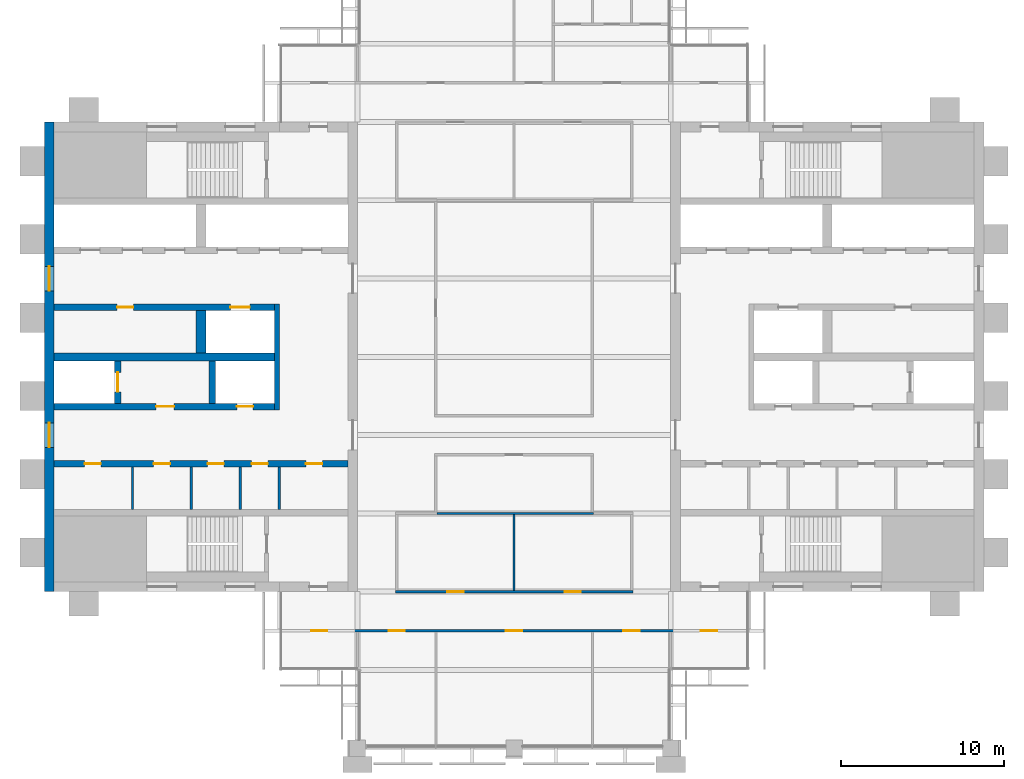
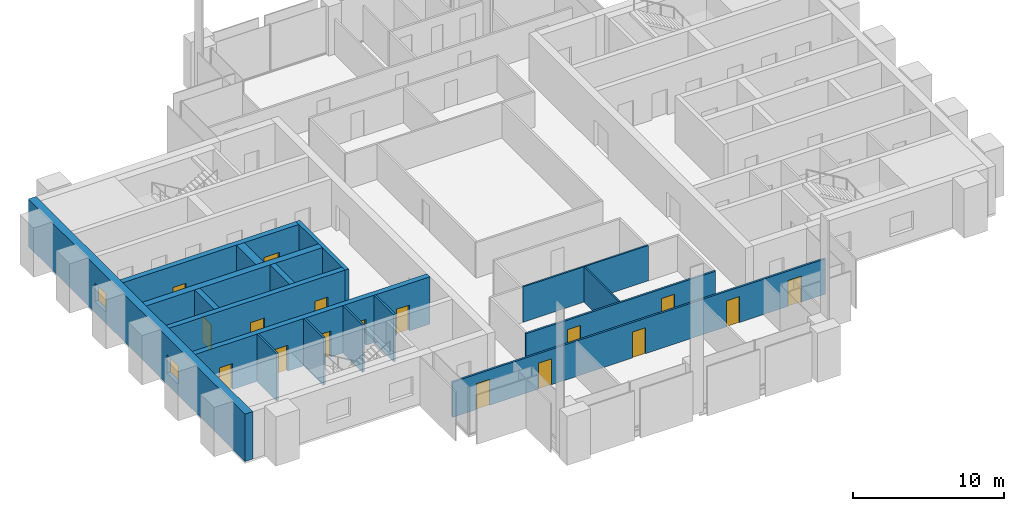
# One storey, part 8 of 13: 17 doors, 17 walls, 2 windows, 19 openings.
"""IFC4 building model written with IfcOpenShell, lengths in metres."""

from ifc_helpers import new_model, si_unit, direction, frame, frame_2d, origin, place, context, subcontext, project, spatial, rectangle, extrude, material, layer, layer_set, type_object, element, fill, save


model = new_model("IFC4")

# Units and contexts
model_context = context("Model", 3, precision=1e-05, world=origin(), true_north=direction((0.0, 1.0)))
body_context = subcontext(model_context, "Body", "Model", "MODEL_VIEW")
ifc_project = project(units=[si_unit("LENGTHUNIT", "METRE"), si_unit("AREAUNIT", "SQUARE_METRE"), si_unit("VOLUMEUNIT", "CUBIC_METRE"), si_unit("PLANEANGLEUNIT", "RADIAN"), si_unit("MASSUNIT", "GRAM", prefix="KILO")], contexts=[model_context])

# Site, building, storey
site_placement = place(None, origin())
site = spatial("IfcSite", under=ifc_project, at=site_placement, CompositionType="ELEMENT")
building_placement = place(site_placement, origin())
building = spatial("IfcBuilding", under=site, at=building_placement, Name="Baori Bourse Tower", CompositionType="ELEMENT")
storey_placement = place(building_placement, frame((0.0, 0.0, 330.300048828125)))
storey = spatial("IfcBuildingStorey", under=building, at=storey_placement, Name="L73", CompositionType="ELEMENT", Elevation=330.300048828125)

# Walls
ifc_material_1 = material(Name="Blockwork partition", Category="masonry")
ifc_layer_1 = layer(ifc_material_1, 0.14990234375)
ifc_layer_set_1 = layer_set([ifc_layer_1], Name="Core partition 150")
wall_type_1 = type_object("IfcWallType", Name="Core partition 150", PredefinedType="PARTITIONING", material=ifc_layer_set_1)
for number, where, z_axis, x_axis, name in (
    (1, (5.39990234375, 14.64990234375, 0.0), (0.0, 0.0, 1.0), (0.0, 1.0, 0.0), "Partition wall W09"),
    (2, (9.0, 14.64990234375, 0.0), (0.0, 0.0, 1.0), (0.0, 1.0, 0.0), "Partition wall W10"),
    (3, (12.0, 14.64990234375, 0.0), (0.0, 0.0, 1.0), (0.0, 1.0, 0.0), "Partition wall W11"),
    (4, (14.39990234375, 14.64990234375, 0.0), (0.0, 0.0, 1.0), (0.0, 1.0, 0.0), "Partition wall W12"),
):
    element("IfcWall", number, at=place(storey_placement, frame(where, z_axis=z_axis, x_axis=x_axis)), inside=storey, type_object=wall_type_1, Name=name, PredefinedType="PARTITIONING", context=body_context, shape_type="SweptSolid", body=[
        extrude(rectangle(XDim=2.60009765625, YDim=0.14990234375, at=frame_2d((1.300048828125, 0.0))), origin(), (0.0, 0.0, 1.0), 3.83984375),
    ])

# Wall, openings, windows
ifc_material_2 = material(Name="Concrete f'c 40 MPa", Category="concrete")
ifc_layer_2 = layer(ifc_material_2, 0.60009765625)
ifc_layer_set_2 = layer_set([ifc_layer_2], Name="Core wall 600 f'c 40")
wall_type_2 = type_object("IfcWallType", Name="Core wall 600 f'c 40", PredefinedType="SHEAR", material=ifc_layer_set_2)
wall_1_placement = place(storey_placement, frame((0.300048828125, 9.60009765625, 0.0), z_axis=(0.0, 0.0, 1.0), x_axis=(0.0, 1.0, 0.0)))
wall_1 = element("IfcWall", 5, at=wall_1_placement, inside=storey, type_object=wall_type_2, Name="Core wall W01", PredefinedType="SHEAR", context=body_context, shape_type="SweptSolid", body=[
    extrude(rectangle(XDim=28.7998046875, YDim=0.60009765625, at=frame_2d((14.39990234375, 0.0))), origin(), (0.0, 0.0, 1.0), 3.83984375),
])
opening_1_placement = place(wall_1_placement, frame((8.85009765625, 0.0, 0.89990234375)))
opening_1 = element("IfcOpeningElement", 6, at=opening_1_placement, cuts=wall_1, Name="Opening L73-KW101", PredefinedType="OPENING", context=body_context, shape_type="SweptSolid", body=[
    extrude(rectangle(XDim=1.5, YDim=1.5, at=frame_2d((0.75, 0.75))), frame((0.0, 0.31005859375, 0.0), z_axis=(0.0, -1.0, 0.0), x_axis=(1.0, 0.0, 0.0)), (0.0, 0.0, 1.0), 0.6201171875),
])
opening_2_placement = place(wall_1_placement, frame((18.449951171875, 0.0, 0.89990234375)))
opening_2 = element("IfcOpeningElement", 7, at=opening_2_placement, cuts=wall_1, Name="Opening L73-KW102", PredefinedType="OPENING", context=body_context, shape_type="SweptSolid", body=[
    extrude(rectangle(XDim=1.5, YDim=1.5, at=frame_2d((0.75, 0.75))), frame((0.0, 0.31005859375, 0.0), z_axis=(0.0, -1.0, 0.0), x_axis=(1.0, 0.0, 0.0)), (0.0, 0.0, 1.0), 0.6201171875),
])
ifc_material_3 = material(Name="Pale anodised aluminium", Category="aluminium")
window_type = type_object("IfcWindowType", Name="Lobby window 1500 x 1500", PartitioningType="SINGLE_PANEL", PredefinedType="WINDOW", material=ifc_material_3)
window_1_placement = place(opening_1_placement, origin())
window_1 = element("IfcWindow", 8, at=window_1_placement, inside=storey, type_object=window_type, Name="Outer wall window W L73 1", OverallHeight=1.5, OverallWidth=1.5, PartitioningType="SINGLE_PANEL", PredefinedType="WINDOW", context=body_context, shape_type="SweptSolid", body=[
    extrude(rectangle(XDim=1.5, YDim=1.5, at=frame_2d((0.75, 0.75))), frame((0.0, 0.030029296875, 0.0), z_axis=(0.0, -1.0, 0.0), x_axis=(1.0, 0.0, 0.0)), (0.0, 0.0, 1.0), 0.06005859375),
])
fill(opening_1, window_1)
window_2_placement = place(opening_2_placement, origin())
window_2 = element("IfcWindow", 9, at=window_2_placement, inside=storey, type_object=window_type, Name="Outer wall window W L73 2", OverallHeight=1.5, OverallWidth=1.5, PartitioningType="SINGLE_PANEL", PredefinedType="WINDOW", context=body_context, shape_type="SweptSolid", body=[
    extrude(rectangle(XDim=1.5, YDim=1.5, at=frame_2d((0.75, 0.75))), frame((0.0, 0.030029296875, 0.0), z_axis=(0.0, -1.0, 0.0), x_axis=(1.0, 0.0, 0.0)), (0.0, 0.0, 1.0), 0.06005859375),
])
fill(opening_2, window_2)

# Wall, openings, doors
ifc_material_4 = material(Name="Gypsum board partition")
ifc_layer_3 = layer(ifc_material_4, 0.14990234375)
ifc_layer_set_3 = layer_set([ifc_layer_3], Name="Corridor partition 150")
wall_type_3 = type_object("IfcWallType", Name="Corridor partition 150", PredefinedType="PARTITIONING", material=ifc_layer_set_3)
wall_2_placement = place(storey_placement, frame((14.5, 7.199951171875, 0.0), z_axis=(0.0, 0.0, 1.0), x_axis=(1.0, 0.0, 0.0)))
wall_2 = element("IfcWall", 10, at=wall_2_placement, inside=storey, type_object=wall_type_3, Name="Partition", PredefinedType="PARTITIONING", context=body_context, shape_type="SweptSolid", body=[
    extrude(rectangle(XDim=28.60009765625, YDim=0.14990234375, at=frame_2d((14.300048828125, 0.0))), origin(), (0.0, 0.0, 1.0), 2.86962890625),
])
opening_3_placement = place(wall_2_placement, frame((1.85009765625, 0.0, 0.0)))
opening_3 = element("IfcOpeningElement", 11, at=opening_3_placement, cuts=wall_2, Name="Opening L73-D01", PredefinedType="OPENING", context=body_context, shape_type="SweptSolid", body=[
    extrude(rectangle(XDim=1.0, YDim=2.10009765625, at=frame_2d((0.5, 1.050048828125))), frame((0.0, 0.0849609375, 0.0), z_axis=(0.0, -1.0, 0.0), x_axis=(1.0, 0.0, 0.0)), (0.0, 0.0, 1.0), 0.169921875),
])
opening_4_placement = place(wall_2_placement, frame((6.60009765625, 0.0, 0.0)))
opening_4 = element("IfcOpeningElement", 12, at=opening_4_placement, cuts=wall_2, Name="Opening L73-D02", PredefinedType="OPENING", context=body_context, shape_type="SweptSolid", body=[
    extrude(rectangle(XDim=1.0, YDim=2.10009765625, at=frame_2d((0.5, 1.050048828125))), frame((0.0, 0.0849609375, 0.0), z_axis=(0.0, -1.0, 0.0), x_axis=(1.0, 0.0, 0.0)), (0.0, 0.0, 1.0), 0.169921875),
])
opening_5_placement = place(wall_2_placement, frame((13.800048828125, 0.0, 0.0)))
opening_5 = element("IfcOpeningElement", 13, at=opening_5_placement, cuts=wall_2, Name="Opening L73-D03", PredefinedType="OPENING", context=body_context, shape_type="SweptSolid", body=[
    extrude(rectangle(XDim=1.0, YDim=2.10009765625, at=frame_2d((0.5, 1.050048828125))), frame((0.0, 0.0849609375, 0.0), z_axis=(0.0, -1.0, 0.0), x_axis=(1.0, 0.0, 0.0)), (0.0, 0.0, 1.0), 0.169921875),
])
opening_6_placement = place(wall_2_placement, frame((21.0, 0.0, 0.0)))
opening_6 = element("IfcOpeningElement", 14, at=opening_6_placement, cuts=wall_2, Name="Opening L73-D04", PredefinedType="OPENING", context=body_context, shape_type="SweptSolid", body=[
    extrude(rectangle(XDim=1.0, YDim=2.10009765625, at=frame_2d((0.5, 1.050048828125))), frame((0.0, 0.0849609375, 0.0), z_axis=(0.0, -1.0, 0.0), x_axis=(1.0, 0.0, 0.0)), (0.0, 0.0, 1.0), 0.169921875),
])
opening_7_placement = place(wall_2_placement, frame((25.75, 0.0, 0.0)))
opening_7 = element("IfcOpeningElement", 15, at=opening_7_placement, cuts=wall_2, Name="Opening L73-D05", PredefinedType="OPENING", context=body_context, shape_type="SweptSolid", body=[
    extrude(rectangle(XDim=1.0, YDim=2.10009765625, at=frame_2d((0.5, 1.050048828125))), frame((0.0, 0.0849609375, 0.0), z_axis=(0.0, -1.0, 0.0), x_axis=(1.0, 0.0, 0.0)), (0.0, 0.0, 1.0), 0.169921875),
])
ifc_material_5 = material(Name="Timber door leaf", Category="wood")
door_type_1 = type_object("IfcDoorType", Name="Door 1000 x 2100", OperationType="SINGLE_SWING_LEFT", PredefinedType="DOOR", material=ifc_material_5)
door_1_placement = place(opening_3_placement, origin())
door_1 = element("IfcDoor", 16, at=door_1_placement, inside=storey, type_object=door_type_1, Name="Door", OperationType="SINGLE_SWING_LEFT", OverallHeight=2.10009765625, OverallWidth=1.0, PredefinedType="DOOR", context=body_context, shape_type="SweptSolid", body=[
    extrude(rectangle(XDim=1.0, YDim=2.10009765625, at=frame_2d((0.5, 1.050048828125))), frame((0.0, 0.02490234375, 0.0), z_axis=(0.0, -1.0, 0.0), x_axis=(1.0, 0.0, 0.0)), (0.0, 0.0, 1.0), 0.050048828125),
])
fill(opening_3, door_1)
door_2_placement = place(opening_4_placement, origin())
door_2 = element("IfcDoor", 17, at=door_2_placement, inside=storey, type_object=door_type_1, Name="Door", OperationType="SINGLE_SWING_LEFT", OverallHeight=2.10009765625, OverallWidth=1.0, PredefinedType="DOOR", context=body_context, shape_type="SweptSolid", body=[
    extrude(rectangle(XDim=1.0, YDim=2.10009765625, at=frame_2d((0.5, 1.050048828125))), frame((0.0, 0.02490234375, 0.0), z_axis=(0.0, -1.0, 0.0), x_axis=(1.0, 0.0, 0.0)), (0.0, 0.0, 1.0), 0.050048828125),
])
fill(opening_4, door_2)
door_3_placement = place(opening_5_placement, origin())
door_3 = element("IfcDoor", 18, at=door_3_placement, inside=storey, type_object=door_type_1, Name="Door", OperationType="SINGLE_SWING_LEFT", OverallHeight=2.10009765625, OverallWidth=1.0, PredefinedType="DOOR", context=body_context, shape_type="SweptSolid", body=[
    extrude(rectangle(XDim=1.0, YDim=2.10009765625, at=frame_2d((0.5, 1.050048828125))), frame((0.0, 0.02490234375, 0.0), z_axis=(0.0, -1.0, 0.0), x_axis=(1.0, 0.0, 0.0)), (0.0, 0.0, 1.0), 0.050048828125),
])
fill(opening_5, door_3)
door_4_placement = place(opening_6_placement, origin())
door_4 = element("IfcDoor", 19, at=door_4_placement, inside=storey, type_object=door_type_1, Name="Door", OperationType="SINGLE_SWING_RIGHT", OverallHeight=2.10009765625, OverallWidth=1.0, PredefinedType="DOOR", context=body_context, shape_type="SweptSolid", body=[
    extrude(rectangle(XDim=1.0, YDim=2.10009765625, at=frame_2d((0.5, 1.050048828125))), frame((0.0, 0.02490234375, 0.0), z_axis=(0.0, -1.0, 0.0), x_axis=(1.0, 0.0, 0.0)), (0.0, 0.0, 1.0), 0.050048828125),
])
fill(opening_6, door_4)
door_5_placement = place(opening_7_placement, origin())
door_5 = element("IfcDoor", 20, at=door_5_placement, inside=storey, type_object=door_type_1, Name="Door", OperationType="SINGLE_SWING_RIGHT", OverallHeight=2.10009765625, OverallWidth=1.0, PredefinedType="DOOR", context=body_context, shape_type="SweptSolid", body=[
    extrude(rectangle(XDim=1.0, YDim=2.10009765625, at=frame_2d((0.5, 1.050048828125))), frame((0.0, 0.02490234375, 0.0), z_axis=(0.0, -1.0, 0.0), x_axis=(1.0, 0.0, 0.0)), (0.0, 0.0, 1.0), 0.050048828125),
])
fill(opening_7, door_5)

wall_3_placement = place(storey_placement, frame((21.52490234375, 9.60009765625, 0.0), z_axis=(0.0, 0.0, 1.0), x_axis=(1.0, 0.0, 0.0)))
wall_3 = element("IfcWall", 21, at=wall_3_placement, inside=storey, type_object=wall_type_3, Name="Partition", PredefinedType="PARTITIONING", context=body_context, shape_type="SweptSolid", body=[
    extrude(rectangle(XDim=14.550048828125, YDim=0.14990234375, at=frame_2d((7.27490234375, 0.0))), origin(), (0.0, 0.0, 1.0), 2.86962890625),
])
opening_8_placement = place(wall_3_placement, frame((3.175048828125, 0.0, 0.0)))
opening_8 = element("IfcOpeningElement", 22, at=opening_8_placement, cuts=wall_3, Name="Opening L73-D06", PredefinedType="OPENING", context=body_context, shape_type="SweptSolid", body=[
    extrude(rectangle(XDim=1.0, YDim=2.10009765625, at=frame_2d((0.5, 1.050048828125))), frame((0.0, 0.0849609375, 0.0), z_axis=(0.0, -1.0, 0.0), x_axis=(1.0, 0.0, 0.0)), (0.0, 0.0, 1.0), 0.169921875),
])
opening_9_placement = place(wall_3_placement, frame((10.375, 0.0, 0.0)))
opening_9 = element("IfcOpeningElement", 23, at=opening_9_placement, cuts=wall_3, Name="Opening L73-D07", PredefinedType="OPENING", context=body_context, shape_type="SweptSolid", body=[
    extrude(rectangle(XDim=1.0, YDim=2.10009765625, at=frame_2d((0.5, 1.050048828125))), frame((0.0, 0.0849609375, 0.0), z_axis=(0.0, -1.0, 0.0), x_axis=(1.0, 0.0, 0.0)), (0.0, 0.0, 1.0), 0.169921875),
])
door_6_placement = place(opening_8_placement, origin())
door_6 = element("IfcDoor", 24, at=door_6_placement, inside=storey, type_object=door_type_1, Name="Door", OperationType="SINGLE_SWING_RIGHT", OverallHeight=2.10009765625, OverallWidth=1.0, PredefinedType="DOOR", context=body_context, shape_type="SweptSolid", body=[
    extrude(rectangle(XDim=1.0, YDim=2.10009765625, at=frame_2d((0.5, 1.050048828125))), frame((0.0, 0.02490234375, 0.0), z_axis=(0.0, -1.0, 0.0), x_axis=(1.0, 0.0, 0.0)), (0.0, 0.0, 1.0), 0.050048828125),
])
fill(opening_8, door_6)
door_7_placement = place(opening_9_placement, origin())
door_7 = element("IfcDoor", 25, at=door_7_placement, inside=storey, type_object=door_type_1, Name="Door", OperationType="SINGLE_SWING_LEFT", OverallHeight=2.10009765625, OverallWidth=1.0, PredefinedType="DOOR", context=body_context, shape_type="SweptSolid", body=[
    extrude(rectangle(XDim=1.0, YDim=2.10009765625, at=frame_2d((0.5, 1.050048828125))), frame((0.0, 0.02490234375, 0.0), z_axis=(0.0, -1.0, 0.0), x_axis=(1.0, 0.0, 0.0)), (0.0, 0.0, 1.0), 0.050048828125),
])
fill(opening_9, door_7)

# Walls
ifc_material_6 = material(Name="Gypsum board partition")
ifc_layer_4 = layer(ifc_material_6, 0.125)
ifc_layer_set_4 = layer_set([ifc_layer_4], Name="Partition 125")
wall_type_4 = type_object("IfcWallType", Name="Partition 125", PredefinedType="PARTITIONING", material=ifc_layer_set_4)
wall_4_placement = place(storey_placement, frame((24.074951171875, 14.39990234375, 0.0), z_axis=(0.0, 0.0, 1.0), x_axis=(1.0, 0.0, 0.0)))
element("IfcWall", 26, at=wall_4_placement, inside=storey, type_object=wall_type_4, Name="Partition", PredefinedType="PARTITIONING", context=body_context, shape_type="SweptSolid", body=[
    extrude(rectangle(XDim=9.60009765625, YDim=0.125, at=frame_2d((4.800048828125, 0.0))), origin(), (0.0, 0.0, 1.0), 2.86962890625),
])
wall_5_placement = place(storey_placement, frame((28.800048828125, 9.675048828125, 0.0), z_axis=(0.0, 0.0, 1.0), x_axis=(0.0, 1.0, 0.0)))
element("IfcWall", 27, at=wall_5_placement, inside=storey, type_object=wall_type_4, Name="Partition", PredefinedType="PARTITIONING", context=body_context, shape_type="SweptSolid", body=[
    extrude(rectangle(XDim=4.662353515625, YDim=0.125, at=frame_2d((2.3310546875, 0.0))), origin(), (0.0, 0.0, 1.0), 2.86962890625),
])
ifc_material_7 = material(Name="Concrete f'c 40 MPa", Category="concrete")
ifc_layer_5 = layer(ifc_material_7, 0.300048828125)
ifc_layer_set_5 = layer_set([ifc_layer_5], Name="Shaft wall 300 f'c 40")
wall_type_5 = type_object("IfcWallType", Name="Shaft wall 300 f'c 40", PredefinedType="SHEAR", material=ifc_layer_set_5)
wall_6_placement = place(storey_placement, frame((14.25, 20.75, 0.0), z_axis=(0.0, 0.0, 1.0), x_axis=(0.0, 1.0, 0.0)))
element("IfcWall", 28, at=wall_6_placement, inside=storey, type_object=wall_type_5, Name="Core wall W15", PredefinedType="SHEAR", context=body_context, shape_type="SweptSolid", body=[
    extrude(rectangle(XDim=6.5, YDim=0.300048828125, at=frame_2d((3.25, 0.0))), origin(), (0.0, 0.0, 1.0), 3.83984375),
])

# Wall, openings, doors
ifc_material_8 = material(Name="Concrete f'c 40 MPa", Category="concrete")
ifc_layer_6 = layer(ifc_material_8, 0.39990234375)
ifc_layer_set_6 = layer_set([ifc_layer_6], Name="Shaft wall 400 f'c 40")
wall_type_6 = type_object("IfcWallType", Name="Shaft wall 400 f'c 40", PredefinedType="SHEAR", material=ifc_layer_set_6)
wall_7_placement = place(storey_placement, frame((0.60009765625, 17.449951171875, 0.0), z_axis=(0.0, 0.0, 1.0), x_axis=(1.0, 0.0, 0.0)))
wall_7 = element("IfcWall", 29, at=wall_7_placement, inside=storey, type_object=wall_type_6, Name="Core wall W13", PredefinedType="SHEAR", context=body_context, shape_type="SweptSolid", body=[
    extrude(rectangle(XDim=18.0, YDim=0.39990234375, at=frame_2d((9.0, 0.0))), origin(), (0.0, 0.0, 1.0), 3.83984375),
])
opening_10_placement = place(wall_7_placement, frame((1.862548828125, 0.0, 0.0)))
opening_10 = element("IfcOpeningElement", 30, at=opening_10_placement, cuts=wall_7, Name="Opening L73-D109", PredefinedType="OPENING", context=body_context, shape_type="SweptSolid", body=[
    extrude(rectangle(XDim=1.0, YDim=2.10009765625, at=frame_2d((0.5, 1.050048828125))), frame((0.0, 0.2099609375, 0.0), z_axis=(0.0, -1.0, 0.0), x_axis=(1.0, 0.0, 0.0)), (0.0, 0.0, 1.0), 0.419921875),
])
opening_11_placement = place(wall_7_placement, frame((6.10009765625, 0.0, 0.0)))
opening_11 = element("IfcOpeningElement", 31, at=opening_11_placement, cuts=wall_7, Name="Opening L73-D110", PredefinedType="OPENING", context=body_context, shape_type="SweptSolid", body=[
    extrude(rectangle(XDim=1.0, YDim=2.10009765625, at=frame_2d((0.5, 1.050048828125))), frame((0.0, 0.2099609375, 0.0), z_axis=(0.0, -1.0, 0.0), x_axis=(1.0, 0.0, 0.0)), (0.0, 0.0, 1.0), 0.419921875),
])
opening_12_placement = place(wall_7_placement, frame((9.39990234375, 0.0, 0.0)))
opening_12 = element("IfcOpeningElement", 32, at=opening_12_placement, cuts=wall_7, Name="Opening L73-D111", PredefinedType="OPENING", context=body_context, shape_type="SweptSolid", body=[
    extrude(rectangle(XDim=1.0, YDim=2.10009765625, at=frame_2d((0.5, 1.050048828125))), frame((0.0, 0.2099609375, 0.0), z_axis=(0.0, -1.0, 0.0), x_axis=(1.0, 0.0, 0.0)), (0.0, 0.0, 1.0), 0.419921875),
])
opening_13_placement = place(wall_7_placement, frame((12.10009765625, 0.0, 0.0)))
opening_13 = element("IfcOpeningElement", 33, at=opening_13_placement, cuts=wall_7, Name="Opening L73-D112", PredefinedType="OPENING", context=body_context, shape_type="SweptSolid", body=[
    extrude(rectangle(XDim=1.0, YDim=2.10009765625, at=frame_2d((0.5, 1.050048828125))), frame((0.0, 0.2099609375, 0.0), z_axis=(0.0, -1.0, 0.0), x_axis=(1.0, 0.0, 0.0)), (0.0, 0.0, 1.0), 0.419921875),
])
opening_14_placement = place(wall_7_placement, frame((15.4375, 0.0, 0.0)))
opening_14 = element("IfcOpeningElement", 34, at=opening_14_placement, cuts=wall_7, Name="Opening L73-D113", PredefinedType="OPENING", context=body_context, shape_type="SweptSolid", body=[
    extrude(rectangle(XDim=1.0, YDim=2.10009765625, at=frame_2d((0.5, 1.050048828125))), frame((0.0, 0.2099609375, 0.0), z_axis=(0.0, -1.0, 0.0), x_axis=(1.0, 0.0, 0.0)), (0.0, 0.0, 1.0), 0.419921875),
])
ifc_material_9 = material(Name="Painted steel door", Category="steel")
door_type_2 = type_object("IfcDoorType", Name="Core door 1000", OperationType="SINGLE_SWING_LEFT", PredefinedType="DOOR", material=ifc_material_9)
door_8_placement = place(opening_10_placement, origin())
door_8 = element("IfcDoor", 35, at=door_8_placement, inside=storey, type_object=door_type_2, Name="Men'S Wc door W L73", OperationType="SINGLE_SWING_LEFT", OverallHeight=2.10009765625, OverallWidth=1.0, PredefinedType="DOOR", context=body_context, shape_type="SweptSolid", body=[
    extrude(rectangle(XDim=1.0, YDim=2.10009765625, at=frame_2d((0.5, 1.050048828125))), frame((0.0, 0.02490234375, 0.0), z_axis=(0.0, -1.0, 0.0), x_axis=(1.0, 0.0, 0.0)), (0.0, 0.0, 1.0), 0.050048828125),
])
fill(opening_10, door_8)
door_9_placement = place(opening_11_placement, origin())
door_9 = element("IfcDoor", 36, at=door_9_placement, inside=storey, type_object=door_type_2, Name="Women'S Wc door W L73", OperationType="SINGLE_SWING_LEFT", OverallHeight=2.10009765625, OverallWidth=1.0, PredefinedType="DOOR", context=body_context, shape_type="SweptSolid", body=[
    extrude(rectangle(XDim=1.0, YDim=2.10009765625, at=frame_2d((0.5, 1.050048828125))), frame((0.0, 0.02490234375, 0.0), z_axis=(0.0, -1.0, 0.0), x_axis=(1.0, 0.0, 0.0)), (0.0, 0.0, 1.0), 0.050048828125),
])
fill(opening_11, door_9)
door_10_placement = place(opening_13_placement, origin())
door_10 = element("IfcDoor", 37, at=door_10_placement, inside=storey, type_object=door_type_2, Name="Pantry door W L73", OperationType="SINGLE_SWING_LEFT", OverallHeight=2.10009765625, OverallWidth=1.0, PredefinedType="DOOR", context=body_context, shape_type="SweptSolid", body=[
    extrude(rectangle(XDim=1.0, YDim=2.10009765625, at=frame_2d((0.5, 1.050048828125))), frame((0.0, 0.02490234375, 0.0), z_axis=(0.0, -1.0, 0.0), x_axis=(1.0, 0.0, 0.0)), (0.0, 0.0, 1.0), 0.050048828125),
])
fill(opening_13, door_10)
door_11_placement = place(opening_14_placement, origin())
door_11 = element("IfcDoor", 38, at=door_11_placement, inside=storey, type_object=door_type_2, Name="Accessible Wc door W L73", OperationType="SINGLE_SWING_LEFT", OverallHeight=2.10009765625, OverallWidth=1.0, PredefinedType="DOOR", context=body_context, shape_type="SweptSolid", body=[
    extrude(rectangle(XDim=1.0, YDim=2.10009765625, at=frame_2d((0.5, 1.050048828125))), frame((0.0, 0.02490234375, 0.0), z_axis=(0.0, -1.0, 0.0), x_axis=(1.0, 0.0, 0.0)), (0.0, 0.0, 1.0), 0.050048828125),
])
fill(opening_14, door_11)
ifc_material_10 = material(Name="Painted steel door", Category="steel")
door_type_3 = type_object("IfcDoorType", Name="Plant room door 1000", OperationType="SINGLE_SWING_LEFT", PredefinedType="DOOR", material=ifc_material_10)
door_12_placement = place(opening_12_placement, origin())
door_12 = element("IfcDoor", 39, at=door_12_placement, inside=storey, type_object=door_type_3, Name="Electrical Room door W L73", OperationType="SINGLE_SWING_LEFT", OverallHeight=2.10009765625, OverallWidth=1.0, PredefinedType="DOOR", context=body_context, shape_type="SweptSolid", body=[
    extrude(rectangle(XDim=1.0, YDim=2.10009765625, at=frame_2d((0.5, 1.050048828125))), frame((0.0, 0.02490234375, 0.0), z_axis=(0.0, -1.0, 0.0), x_axis=(1.0, 0.0, 0.0)), (0.0, 0.0, 1.0), 0.050048828125),
])
fill(opening_12, door_12)

wall_8_placement = place(storey_placement, frame((0.60009765625, 20.949951171875, 0.0), z_axis=(0.0, 0.0, 1.0), x_axis=(1.0, 0.0, 0.0)))
wall_8 = element("IfcWall", 40, at=wall_8_placement, inside=storey, type_object=wall_type_6, Name="Core wall W14", PredefinedType="SHEAR", context=body_context, shape_type="SweptSolid", body=[
    extrude(rectangle(XDim=13.5, YDim=0.39990234375, at=frame_2d((6.75, 0.0))), origin(), (0.0, 0.0, 1.0), 3.83984375),
])
opening_15_placement = place(wall_8_placement, frame((6.25, 0.0, 0.0)))
opening_15 = element("IfcOpeningElement", 41, at=opening_15_placement, cuts=wall_8, Name="Opening L73-D105", PredefinedType="OPENING", context=body_context, shape_type="SweptSolid", body=[
    extrude(rectangle(XDim=1.10009765625, YDim=2.10009765625, at=frame_2d((0.550048828125, 1.050048828125))), frame((0.0, 0.2099609375, 0.0), z_axis=(0.0, -1.0, 0.0), x_axis=(1.0, 0.0, 0.0)), (0.0, 0.0, 1.0), 0.419921875),
])
opening_16_placement = place(wall_8_placement, frame((11.199951171875, 0.0, 0.0)))
opening_16 = element("IfcOpeningElement", 42, at=opening_16_placement, cuts=wall_8, Name="Opening L73-D106", PredefinedType="OPENING", context=body_context, shape_type="SweptSolid", body=[
    extrude(rectangle(XDim=1.0, YDim=2.10009765625, at=frame_2d((0.5, 1.050048828125))), frame((0.0, 0.2099609375, 0.0), z_axis=(0.0, -1.0, 0.0), x_axis=(1.0, 0.0, 0.0)), (0.0, 0.0, 1.0), 0.419921875),
])
ifc_material_11 = material(Name="Painted steel door", Category="steel")
door_type_4 = type_object("IfcDoorType", Name="Lobby door 1100", OperationType="SINGLE_SWING_LEFT", PredefinedType="DOOR", material=ifc_material_11)
door_13_placement = place(opening_15_placement, origin())
door_13 = element("IfcDoor", 43, at=door_13_placement, inside=storey, type_object=door_type_4, Name="Firefighting lobby door W L73", OperationType="SINGLE_SWING_LEFT", OverallHeight=2.10009765625, OverallWidth=1.10009765625, PredefinedType="DOOR", context=body_context, shape_type="SweptSolid", body=[
    extrude(rectangle(XDim=1.10009765625, YDim=2.10009765625, at=frame_2d((0.550048828125, 1.050048828125))), frame((0.0, 0.02490234375, 0.0), z_axis=(0.0, -1.0, 0.0), x_axis=(1.0, 0.0, 0.0)), (0.0, 0.0, 1.0), 0.050048828125),
])
fill(opening_15, door_13)
ifc_material_12 = material(Name="Painted steel door", Category="steel")
door_type_5 = type_object("IfcDoorType", Name="Shaft door 1000", OperationType="SINGLE_SWING_LEFT", PredefinedType="DOOR", material=ifc_material_12)
door_14_placement = place(opening_16_placement, origin())
door_14 = element("IfcDoor", 44, at=door_14_placement, inside=storey, type_object=door_type_5, Name="Riser room door W L73", OperationType="SINGLE_SWING_LEFT", OverallHeight=2.10009765625, OverallWidth=1.0, PredefinedType="DOOR", context=body_context, shape_type="SweptSolid", body=[
    extrude(rectangle(XDim=1.0, YDim=2.10009765625, at=frame_2d((0.5, 1.050048828125))), frame((0.0, 0.02490234375, 0.0), z_axis=(0.0, -1.0, 0.0), x_axis=(1.0, 0.0, 0.0)), (0.0, 0.0, 1.0), 0.050048828125),
])
fill(opening_16, door_14)

# Wall, opening, door
wall_9_placement = place(storey_placement, frame((4.5, 21.14990234375, 0.0), z_axis=(0.0, 0.0, 1.0), x_axis=(0.0, 1.0, 0.0)))
wall_9 = element("IfcWall", 45, at=wall_9_placement, inside=storey, type_object=wall_type_6, Name="Core wall W16", PredefinedType="SHEAR", context=body_context, shape_type="SweptSolid", body=[
    extrude(rectangle(XDim=2.60009765625, YDim=0.39990234375, at=frame_2d((1.300048828125, 0.0))), origin(), (0.0, 0.0, 1.0), 3.83984375),
])
opening_17_placement = place(wall_9_placement, frame((0.699951171875, 0.0, 0.0)))
opening_17 = element("IfcOpeningElement", 46, at=opening_17_placement, cuts=wall_9, Name="Opening L73-D122", PredefinedType="OPENING", context=body_context, shape_type="SweptSolid", body=[
    extrude(rectangle(XDim=1.199951171875, YDim=2.10009765625, at=frame_2d((0.60009765625, 1.050048828125))), frame((0.0, 0.2099609375, 0.0), z_axis=(0.0, -1.0, 0.0), x_axis=(1.0, 0.0, 0.0)), (0.0, 0.0, 1.0), 0.419921875),
])
ifc_material_13 = material(Name="Stainless steel door", Category="steel")
door_type_6 = type_object("IfcDoorType", Name="Lift landing door", OperationType="DOUBLE_DOOR_SLIDING", PredefinedType="DOOR", material=ifc_material_13)
door_15_placement = place(opening_17_placement, origin())
door_15 = element("IfcDoor", 47, at=door_15_placement, inside=storey, type_object=door_type_6, Name="Lift landing door FF1 W L73", OperationType="DOUBLE_DOOR_SLIDING", OverallHeight=2.10009765625, OverallWidth=1.199951171875, PredefinedType="DOOR", context=body_context, shape_type="SweptSolid", body=[
    extrude(rectangle(XDim=1.199951171875, YDim=2.10009765625, at=frame_2d((0.60009765625, 1.050048828125))), frame((0.0, 0.02490234375, 0.0), z_axis=(0.0, -1.0, 0.0), x_axis=(1.0, 0.0, 0.0)), (0.0, 0.0, 1.0), 0.050048828125),
])
fill(opening_17, door_15)

# Wall
wall_10_placement = place(storey_placement, frame((10.300048828125, 21.14990234375, 0.0), z_axis=(0.0, 0.0, 1.0), x_axis=(0.0, 1.0, 0.0)))
element("IfcWall", 48, at=wall_10_placement, inside=storey, type_object=wall_type_6, Name="Core wall W17", PredefinedType="SHEAR", context=body_context, shape_type="SweptSolid", body=[
    extrude(rectangle(XDim=2.60009765625, YDim=0.39990234375, at=frame_2d((1.300048828125, 0.0))), origin(), (0.0, 0.0, 1.0), 3.83984375),
])

# Wall, openings, doors
wall_11_placement = place(storey_placement, frame((0.60009765625, 27.050048828125, 0.0), z_axis=(0.0, 0.0, 1.0), x_axis=(1.0, 0.0, 0.0)))
wall_11 = element("IfcWall", 49, at=wall_11_placement, inside=storey, type_object=wall_type_6, Name="Core wall W20", PredefinedType="SHEAR", context=body_context, shape_type="SweptSolid", body=[
    extrude(rectangle(XDim=13.5, YDim=0.39990234375, at=frame_2d((6.75, 0.0))), origin(), (0.0, 0.0, 1.0), 3.83984375),
])
opening_18_placement = place(wall_11_placement, frame((3.85009765625, 0.0, 0.0)))
opening_18 = element("IfcOpeningElement", 50, at=opening_18_placement, cuts=wall_11, Name="Opening L73-D114", PredefinedType="OPENING", context=body_context, shape_type="SweptSolid", body=[
    extrude(rectangle(XDim=1.0, YDim=2.10009765625, at=frame_2d((0.5, 1.050048828125))), frame((0.0, 0.2099609375, 0.0), z_axis=(0.0, -1.0, 0.0), x_axis=(1.0, 0.0, 0.0)), (0.0, 0.0, 1.0), 0.419921875),
])
opening_19_placement = place(wall_11_placement, frame((10.800048828125, 0.0, 0.0)))
opening_19 = element("IfcOpeningElement", 51, at=opening_19_placement, cuts=wall_11, Name="Opening L73-D121", PredefinedType="OPENING", context=body_context, shape_type="SweptSolid", body=[
    extrude(rectangle(XDim=1.199951171875, YDim=2.10009765625, at=frame_2d((0.60009765625, 1.050048828125))), frame((0.0, 0.2099609375, 0.0), z_axis=(0.0, -1.0, 0.0), x_axis=(1.0, 0.0, 0.0)), (0.0, 0.0, 1.0), 0.419921875),
])
door_16_placement = place(opening_18_placement, origin())
door_16 = element("IfcDoor", 52, at=door_16_placement, inside=storey, type_object=door_type_2, Name="Recycling Room door W L73", OperationType="SINGLE_SWING_LEFT", OverallHeight=2.10009765625, OverallWidth=1.0, PredefinedType="DOOR", context=body_context, shape_type="SweptSolid", body=[
    extrude(rectangle(XDim=1.0, YDim=2.10009765625, at=frame_2d((0.5, 1.050048828125))), frame((0.0, 0.02490234375, 0.0), z_axis=(0.0, -1.0, 0.0), x_axis=(1.0, 0.0, 0.0)), (0.0, 0.0, 1.0), 0.050048828125),
])
fill(opening_18, door_16)
door_17_placement = place(opening_19_placement, origin())
door_17 = element("IfcDoor", 53, at=door_17_placement, inside=storey, type_object=door_type_6, Name="Lift landing door SV1 W L73", OperationType="DOUBLE_DOOR_SLIDING", OverallHeight=2.10009765625, OverallWidth=1.199951171875, PredefinedType="DOOR", context=body_context, shape_type="SweptSolid", body=[
    extrude(rectangle(XDim=1.199951171875, YDim=2.10009765625, at=frame_2d((0.60009765625, 1.050048828125))), frame((0.0, 0.02490234375, 0.0), z_axis=(0.0, -1.0, 0.0), x_axis=(1.0, 0.0, 0.0)), (0.0, 0.0, 1.0), 0.050048828125),
])
fill(opening_19, door_17)

# Walls
ifc_material_14 = material(Name="Concrete f'c 40 MPa", Category="concrete")
ifc_layer_7 = layer(ifc_material_14, 0.5)
ifc_layer_set_7 = layer_set([ifc_layer_7], Name="Shaft wall 500 f'c 40")
wall_type_7 = type_object("IfcWallType", Name="Shaft wall 500 f'c 40", PredefinedType="SHEAR", material=ifc_layer_set_7)
wall_12_placement = place(storey_placement, frame((0.60009765625, 24.0, 0.0), z_axis=(0.0, 0.0, 1.0), x_axis=(1.0, 0.0, 0.0)))
element("IfcWall", 54, at=wall_12_placement, inside=storey, type_object=wall_type_7, Name="Core wall W18", PredefinedType="SHEAR", context=body_context, shape_type="SweptSolid", body=[
    extrude(rectangle(XDim=13.5, YDim=0.5, at=frame_2d((6.75, 0.0))), origin(), (0.0, 0.0, 1.0), 3.83984375),
])
ifc_material_15 = material(Name="Concrete f'c 40 MPa", Category="concrete")
ifc_layer_8 = layer(ifc_material_15, 0.60009765625)
ifc_layer_set_8 = layer_set([ifc_layer_8], Name="Shaft wall 600 f'c 40")
wall_type_8 = type_object("IfcWallType", Name="Shaft wall 600 f'c 40", PredefinedType="SHEAR", material=ifc_layer_set_8)
wall_13_placement = place(storey_placement, frame((9.60009765625, 24.25, 0.0), z_axis=(0.0, 0.0, 1.0), x_axis=(0.0, 1.0, 0.0)))
element("IfcWall", 55, at=wall_13_placement, inside=storey, type_object=wall_type_8, Name="Core wall W19", PredefinedType="SHEAR", context=body_context, shape_type="SweptSolid", body=[
    extrude(rectangle(XDim=2.60009765625, YDim=0.60009765625, at=frame_2d((1.300048828125, 0.0))), origin(), (0.0, 0.0, 1.0), 3.83984375),
])

save(model, "model.ifc")
